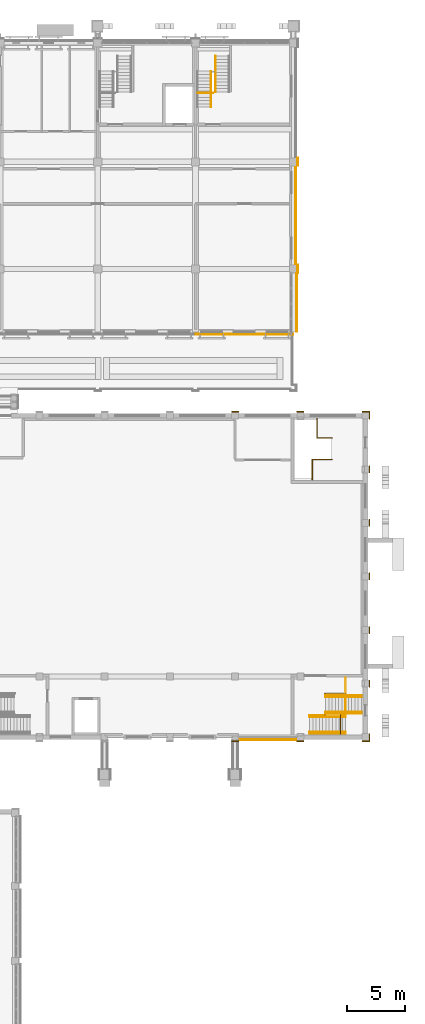
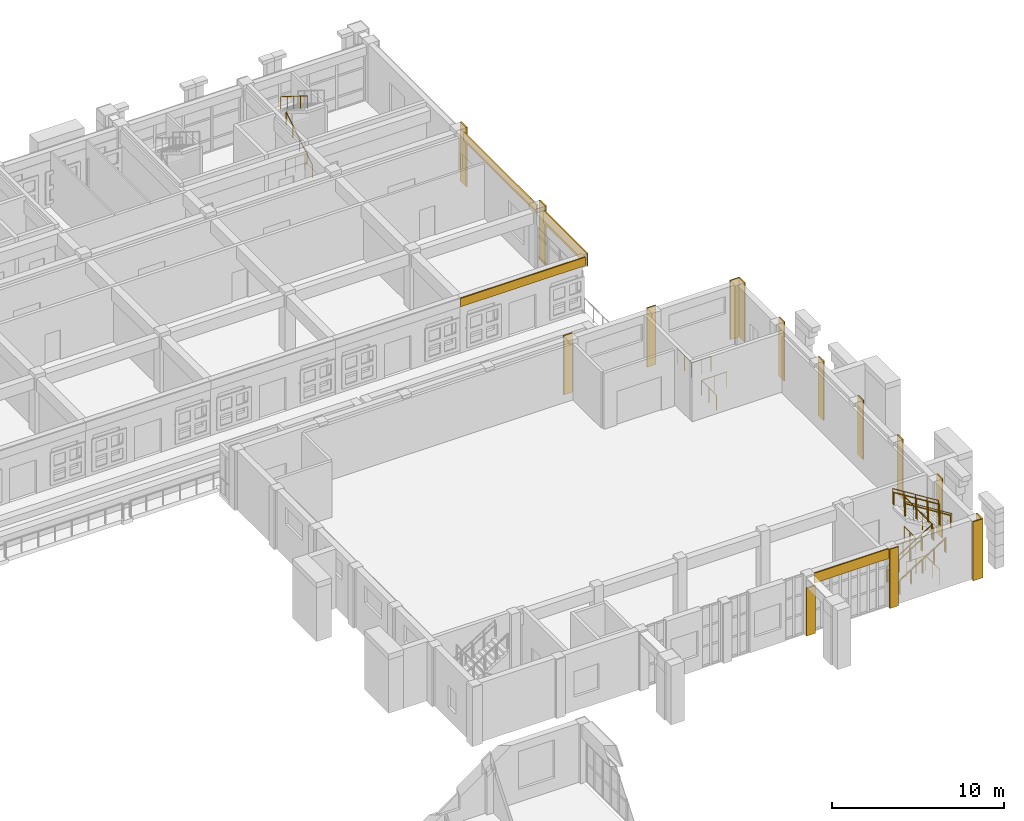
# One storey, part 94 of 99: 17 coverings, 16 railings.
"""IFC4 building model written with IfcOpenShell, lengths in metres."""

from ifc_helpers import new_model, si_unit, direction, frame, origin, origin_2d, place, context, subcontext, project, spatial, polyline, circle, outline, extrude, material, layer, layer_set, type_object, element, save


model = new_model("IFC4")

# Units and contexts
model_context = context("Model", 3, precision=1e-05, world=origin(), true_north=direction((0.0, 1.0)))
body_context = subcontext(model_context, "Body", "Model", "MODEL_VIEW")
ifc_project = project(units=[si_unit("LENGTHUNIT", "METRE"), si_unit("AREAUNIT", "SQUARE_METRE"), si_unit("VOLUMEUNIT", "CUBIC_METRE"), si_unit("PLANEANGLEUNIT", "RADIAN"), si_unit("MASSUNIT", "GRAM", prefix="KILO")], contexts=[model_context])

# Site, building, storey
site_placement = place(None, origin())
site = spatial("IfcSite", under=ifc_project, at=site_placement, CompositionType="ELEMENT")
building_placement = place(site_placement, origin())
building = spatial("IfcBuilding", under=site, at=building_placement, Name="Wasatch Bagh Community Centre", CompositionType="ELEMENT")
storey_placement = place(building_placement, frame((0.0, 0.0, 4.199951171875)))
storey = spatial("IfcBuildingStorey", under=building, at=storey_placement, Name="L01", CompositionType="ELEMENT", Elevation=4.199951171875)

# Coverings
ifc_material_1 = material(Name="Cast stone cladding", Category="masonry")
ifc_layer_1 = layer(ifc_material_1, 0.080078125)
ifc_layer_set_1 = layer_set([ifc_layer_1], Name="Cast stone cladding")
covering_type_1 = type_object("IfcCoveringType", Name="CL-B7 beam facing", PredefinedType="CLADDING", material=ifc_layer_set_1)
covering_1_placement = place(storey_placement, frame((0.0, 0.0, 3.320068359375)))
element("IfcCovering", 1, at=covering_1_placement, inside=storey, type_object=covering_type_1, Name="Beam facing", PredefinedType="CLADDING", context=body_context, shape_type="SweptSolid", body=[
    extrude(outline(polyline([(139.77490234375, 78.75), (139.77490234375, 87.25), (139.85498046875, 87.25), (139.85498046875, 78.75), (139.77490234375, 78.75)])), origin(), (0.0, 0.0, 1.0), 0.60009765625),
])
covering_2_placement = place(storey_placement, frame((0.0, 0.0, 3.02001953125)))
element("IfcCovering", 2, at=covering_2_placement, inside=storey, type_object=covering_type_1, Name="Beam facing", PredefinedType="CLADDING", context=body_context, shape_type="SweptSolid", body=[
    extrude(outline(polyline([(139.85009765625, 78.050048828125), (139.85009765625, 73.0), (139.929931640625, 73.0), (139.929931640625, 78.050048828125), (139.85009765625, 78.050048828125)])), origin(), (0.0, 0.0, 1.0), 0.900146484375),
])
covering_3_placement = place(storey_placement, frame((0.0, 0.0, 3.320068359375)))
element("IfcCovering", 3, at=covering_3_placement, inside=storey, type_object=covering_type_1, Name="Beam facing", PredefinedType="CLADDING", context=body_context, shape_type="SweptSolid", body=[
    extrude(outline(polyline([(131.199951171875, 72.824951171875), (139.60009765625, 72.824951171875), (139.60009765625, 72.7451171875), (131.199951171875, 72.7451171875), (131.199951171875, 72.824951171875)])), origin(), (0.0, 0.0, 1.0), 0.60009765625),
])
covering_4_placement = place(storey_placement, frame((0.0, 0.0, 3.5)))
element("IfcCovering", 4, at=covering_4_placement, inside=storey, type_object=covering_type_1, Name="Beam facing", PredefinedType="CLADDING", context=body_context, shape_type="SweptSolid", body=[
    extrude(outline(polyline([(134.89990234375, 38.0), (139.89990234375, 38.0), (139.89990234375, 37.919921875), (134.89990234375, 37.919921875), (134.89990234375, 38.0)])), origin(), (0.0, 0.0, 1.0), 0.699951171875),
])
ifc_layer_2 = layer(ifc_material_1, 0.080078125)
ifc_layer_set_2 = layer_set([ifc_layer_2], Name="Cast stone cladding")
covering_type_2 = type_object("IfcCoveringType", Name="CL-C1 column facing", PredefinedType="CLADDING", material=ifc_layer_set_2)
covering_5_placement = place(storey_placement, origin())
element("IfcCovering", 5, at=covering_5_placement, inside=storey, type_object=covering_type_2, Name="Column facing", PredefinedType="CLADDING", context=body_context, shape_type="SweptSolid", body=[
    extrude(outline(polyline([(139.949951171875, 87.25), (139.949951171875, 87.949951171875), (140.030029296875, 87.949951171875), (140.030029296875, 87.25), (139.949951171875, 87.25)])), origin(), (0.0, 0.0, 1.0), 4.199951171875),
])
covering_6_placement = place(storey_placement, origin())
element("IfcCovering", 6, at=covering_6_placement, inside=storey, type_object=covering_type_2, Name="Column facing", PredefinedType="CLADDING", context=body_context, shape_type="SweptSolid", body=[
    extrude(outline(polyline([(139.949951171875, 78.050048828125), (139.949951171875, 78.75), (140.030029296875, 78.75), (140.030029296875, 78.050048828125), (139.949951171875, 78.050048828125)])), origin(), (0.0, 0.0, 1.0), 4.199951171875),
])
covering_7_placement = place(storey_placement, origin())
element("IfcCovering", 7, at=covering_7_placement, inside=storey, type_object=covering_type_2, Name="Column facing", PredefinedType="CLADDING", context=body_context, shape_type="SweptSolid", body=[
    extrude(outline(polyline([(134.300048828125, 37.89990234375), (134.89990234375, 37.89990234375), (134.89990234375, 37.820068359375), (134.300048828125, 37.820068359375), (134.300048828125, 37.89990234375)])), origin(), (0.0, 0.0, 1.0), 3.400146484375),
])
covering_8_placement = place(storey_placement, origin())
element("IfcCovering", 8, at=covering_8_placement, inside=storey, type_object=covering_type_2, Name="Column facing", PredefinedType="CLADDING", context=body_context, shape_type="SweptSolid", body=[
    extrude(outline(polyline([(139.89990234375, 37.89990234375), (140.5, 37.89990234375), (140.5, 37.820068359375), (139.89990234375, 37.820068359375), (139.89990234375, 37.89990234375)])), origin(), (0.0, 0.0, 1.0), 4.199951171875),
])
covering_9_placement = place(storey_placement, origin())
element("IfcCovering", 9, at=covering_9_placement, inside=storey, type_object=covering_type_2, Name="Column facing", PredefinedType="CLADDING", context=body_context, shape_type="SweptSolid", body=[
    extrude(outline(polyline([(146.10009765625, 37.89990234375), (146.10009765625, 38.5), (146.179931640625, 38.5), (146.179931640625, 37.820068359375), (145.5, 37.820068359375), (145.5, 37.89990234375), (146.10009765625, 37.89990234375)])), origin(), (0.0, 0.0, 1.0), 4.199951171875),
])
covering_10_placement = place(storey_placement, origin())
element("IfcCovering", 10, at=covering_10_placement, inside=storey, type_object=covering_type_2, Name="Column facing", PredefinedType="CLADDING", context=body_context, shape_type="SweptSolid", body=[
    extrude(outline(polyline([(134.89990234375, 66.10009765625), (134.300048828125, 66.10009765625), (134.300048828125, 66.179931640625), (134.89990234375, 66.179931640625), (134.89990234375, 66.10009765625)])), origin(), (0.0, 0.0, 1.0), 4.199951171875),
])
covering_11_placement = place(storey_placement, origin())
element("IfcCovering", 11, at=covering_11_placement, inside=storey, type_object=covering_type_2, Name="Column facing", PredefinedType="CLADDING", context=body_context, shape_type="SweptSolid", body=[
    extrude(outline(polyline([(140.5, 66.10009765625), (139.89990234375, 66.10009765625), (139.89990234375, 66.179931640625), (140.5, 66.179931640625), (140.5, 66.10009765625)])), origin(), (0.0, 0.0, 1.0), 4.199951171875),
])
covering_12_placement = place(storey_placement, origin())
element("IfcCovering", 12, at=covering_12_placement, inside=storey, type_object=covering_type_2, Name="Column facing", PredefinedType="CLADDING", context=body_context, shape_type="SweptSolid", body=[
    extrude(outline(polyline([(146.10009765625, 66.10009765625), (145.5, 66.10009765625), (145.5, 66.179931640625), (146.179931640625, 66.179931640625), (146.179931640625, 65.5), (146.10009765625, 65.5), (146.10009765625, 66.10009765625)])), origin(), (0.0, 0.0, 1.0), 4.199951171875),
])
covering_13_placement = place(storey_placement, origin())
element("IfcCovering", 13, at=covering_13_placement, inside=storey, type_object=covering_type_2, Name="Column facing", PredefinedType="CLADDING", context=body_context, shape_type="SweptSolid", body=[
    extrude(outline(polyline([(146.10009765625, 42.5), (146.10009765625, 43.10009765625), (146.179931640625, 43.10009765625), (146.179931640625, 42.5), (146.10009765625, 42.5)])), origin(), (0.0, 0.0, 1.0), 4.199951171875),
])
covering_14_placement = place(storey_placement, origin())
element("IfcCovering", 14, at=covering_14_placement, inside=storey, type_object=covering_type_2, Name="Column facing", PredefinedType="CLADDING", context=body_context, shape_type="SweptSolid", body=[
    extrude(outline(polyline([(146.10009765625, 47.10009765625), (146.10009765625, 47.699951171875), (146.179931640625, 47.699951171875), (146.179931640625, 47.10009765625), (146.10009765625, 47.10009765625)])), origin(), (0.0, 0.0, 1.0), 4.199951171875),
])
covering_15_placement = place(storey_placement, origin())
element("IfcCovering", 15, at=covering_15_placement, inside=storey, type_object=covering_type_2, Name="Column facing", PredefinedType="CLADDING", context=body_context, shape_type="SweptSolid", body=[
    extrude(outline(polyline([(146.10009765625, 51.699951171875), (146.10009765625, 52.300048828125), (146.179931640625, 52.300048828125), (146.179931640625, 51.699951171875), (146.10009765625, 51.699951171875)])), origin(), (0.0, 0.0, 1.0), 4.199951171875),
])
covering_16_placement = place(storey_placement, origin())
element("IfcCovering", 16, at=covering_16_placement, inside=storey, type_object=covering_type_2, Name="Column facing", PredefinedType="CLADDING", context=body_context, shape_type="SweptSolid", body=[
    extrude(outline(polyline([(146.10009765625, 56.300048828125), (146.10009765625, 56.89990234375), (146.179931640625, 56.89990234375), (146.179931640625, 56.300048828125), (146.10009765625, 56.300048828125)])), origin(), (0.0, 0.0, 1.0), 4.199951171875),
])
covering_17_placement = place(storey_placement, origin())
element("IfcCovering", 17, at=covering_17_placement, inside=storey, type_object=covering_type_2, Name="Column facing", PredefinedType="CLADDING", context=body_context, shape_type="SweptSolid", body=[
    extrude(outline(polyline([(146.10009765625, 60.89990234375), (146.10009765625, 61.5), (146.179931640625, 61.5), (146.179931640625, 60.89990234375), (146.10009765625, 60.89990234375)])), origin(), (0.0, 0.0, 1.0), 4.199951171875),
])

# Railings
ifc_material_2 = material(Name="Painted steel with jali infill", Category="steel")
railing_type_1 = type_object("IfcRailingType", Name="LW guard 1100", PredefinedType="GUARDRAIL", material=ifc_material_2)
railing_1_placement = place(storey_placement, frame((131.39990234375, 93.5, 0.0)))
element("IfcRailing", 18, at=railing_1_placement, inside=storey, type_object=railing_type_1, Name="Guard ES", PredefinedType="GUARDRAIL", context=body_context, shape_type="SweptSolid", body=[
    extrude(circle(Radius=0.02490234375, at=origin_2d()), frame((0.0, 0.0, 1.0751953125), z_axis=(1.0, 0.0, 0.0), x_axis=(0.0, 1.0, 0.0)), (0.0, 0.0, 1.0), 1.300048828125),
    extrude(circle(Radius=0.02001953125, at=origin_2d()), origin(), (0.0, 0.0, 1.0), 1.050048828125),
    extrude(circle(Radius=0.02001953125, at=origin_2d()), frame((0.64990234375, 0.0, 0.0)), (0.0, 0.0, 1.0), 1.050048828125),
    extrude(circle(Radius=0.02001953125, at=origin_2d()), frame((1.300048828125, 0.0, 0.0)), (0.0, 0.0, 1.0), 1.050048828125),
])
ifc_material_3 = material(Name="Painted steel tube", Category="steel")
railing_type_2 = type_object("IfcRailingType", Name="LW stair handrail 900", PredefinedType="HANDRAIL", material=ifc_material_3)
railing_2_placement = place(storey_placement, frame((132.534912109375, 92.300048828125, 0.175048828125)))
element("IfcRailing", 19, at=railing_2_placement, inside=storey, type_object=railing_type_2, Name="Handrail ES", PredefinedType="HANDRAIL", context=body_context, shape_type="SweptSolid", body=[
    extrude(circle(Radius=0.0224609375, at=origin_2d()), frame((0.0, 0.0, 0.87744140625), z_axis=(0.0, 0.847979421464, 0.530029150871), x_axis=(-1.0, 0.0, 0.0)), (0.0, 0.0, 1.0), 3.632080078125),
    extrude(circle(Radius=0.02001953125, at=origin_2d()), origin(), (0.0, 0.0, 1.0), 0.85498046875),
    extrude(circle(Radius=0.02001953125, at=origin_2d()), frame((0.0, 0.77001953125, 0.481201171875)), (0.0, 0.0, 1.0), 0.85498046875),
    extrude(circle(Radius=0.02001953125, at=origin_2d()), frame((0.0, 1.5400390625, 0.96240234375)), (0.0, 0.0, 1.0), 0.85498046875),
    extrude(circle(Radius=0.02001953125, at=origin_2d()), frame((0.0, 2.309814453125, 1.44384765625)), (0.0, 0.0, 1.0), 0.85498046875),
    extrude(circle(Radius=0.02001953125, at=origin_2d()), frame((0.0, 3.079833984375, 1.925048828125)), (0.0, 0.0, 1.0), 0.85498046875),
])
railing_3_placement = place(storey_placement, frame((132.9150390625, 96.679931640625, 2.275146484375)))
element("IfcRailing", 20, at=railing_3_placement, inside=storey, type_object=railing_type_2, Name="Handrail ES", PredefinedType="HANDRAIL", context=body_context, shape_type="SweptSolid", body=[
    extrude(circle(Radius=0.0224609375, at=origin_2d()), frame((0.0, 0.0, 0.87744140625), z_axis=(0.0, -0.848009633417, 0.529980812513), x_axis=(1.0, 0.0, 0.0)), (0.0, 0.0, 1.0), 3.6318359375),
    extrude(circle(Radius=0.02001953125, at=origin_2d()), origin(), (0.0, 0.0, 1.0), 0.85498046875),
    extrude(circle(Radius=0.02001953125, at=origin_2d()), frame((0.0, -0.77001953125, 0.481201171875)), (0.0, 0.0, 1.0), 0.85498046875),
    extrude(circle(Radius=0.02001953125, at=origin_2d()), frame((0.0, -1.5400390625, 0.96240234375)), (0.0, 0.0, 1.0), 0.85498046875),
    extrude(circle(Radius=0.02001953125, at=origin_2d()), frame((0.0, -2.309814453125, 1.443603515625)), (0.0, 0.0, 1.0), 0.85498046875),
    extrude(circle(Radius=0.02001953125, at=origin_2d()), frame((0.0, -3.079833984375, 1.9248046875)), (0.0, 0.0, 1.0), 0.85498046875),
])
ifc_material_4 = material(Name="ASTM A36 steel", Category="steel")
railing_type_3 = type_object("IfcRailingType", Name="SH guard", PredefinedType="GUARDRAIL", material=ifc_material_4)
railing_4_placement = place(storey_placement, frame((143.6298828125, 38.449951171875, 0.0)))
element("IfcRailing", 21, at=railing_4_placement, inside=storey, type_object=railing_type_3, Name="GUARD ST2", PredefinedType="GUARDRAIL", context=body_context, shape_type="SweptSolid", body=[
    extrude(circle(Radius=0.02392578125, at=origin_2d()), frame((0.0, 0.0, 1.076171875), z_axis=(0.0, 1.0, 0.0), x_axis=(-1.0, 0.0, 0.0)), (0.0, 0.0, 1.0), 1.650146484375),
    extrude(circle(Radius=0.02392578125, at=origin_2d()), frame((0.0, 1.650146484375, 1.076171875), z_axis=(-1.0, 0.0, 0.0), x_axis=(0.0, -1.0, 0.0)), (0.0, 0.0, 1.0), 1.309814453125),
    extrude(circle(Radius=0.02099609375, at=origin_2d()), origin(), (0.0, 0.0, 1.0), 1.052001953125),
    extrude(circle(Radius=0.02099609375, at=origin_2d()), frame((0.0, 0.8251953125, 0.0)), (0.0, 0.0, 1.0), 1.052001953125),
    extrude(circle(Radius=0.02099609375, at=origin_2d()), frame((0.0, 1.650146484375, 0.0)), (0.0, 0.0, 1.0), 1.052001953125),
    extrude(circle(Radius=0.02099609375, at=origin_2d()), frame((-0.65478515625, 1.650146484375, 0.0)), (0.0, 0.0, 1.0), 1.052001953125),
    extrude(circle(Radius=0.02099609375, at=origin_2d()), frame((-1.309814453125, 1.650146484375, 0.0)), (0.0, 0.0, 1.0), 1.052001953125),
])
railing_5_placement = place(storey_placement, frame((144.030029296875, 43.300048828125, 0.0)))
element("IfcRailing", 22, at=railing_5_placement, inside=storey, type_object=railing_type_3, Name="GUARD ST2", PredefinedType="GUARDRAIL", context=body_context, shape_type="SweptSolid", body=[
    extrude(circle(Radius=0.02392578125, at=origin_2d()), frame((0.0, 0.0, 1.076171875), z_axis=(0.0, -1.0, 0.0), x_axis=(1.0, 0.0, 0.0)), (0.0, 0.0, 1.0), 1.35009765625),
    extrude(circle(Radius=0.02392578125, at=origin_2d()), frame((0.0, -1.35009765625, 1.076171875), z_axis=(-1.0, 0.0, 0.0), x_axis=(0.0, -1.0, 0.0)), (0.0, 0.0, 1.0), 1.7099609375),
    extrude(circle(Radius=0.02099609375, at=origin_2d()), origin(), (0.0, 0.0, 1.0), 1.052001953125),
    extrude(circle(Radius=0.02099609375, at=origin_2d()), frame((0.0, -0.675048828125, 0.0)), (0.0, 0.0, 1.0), 1.052001953125),
    extrude(circle(Radius=0.02099609375, at=origin_2d()), frame((0.0, -1.35009765625, 0.0)), (0.0, 0.0, 1.0), 1.052001953125),
    extrude(circle(Radius=0.02099609375, at=origin_2d()), frame((-0.85498046875, -1.35009765625, 0.0)), (0.0, 0.0, 1.0), 1.052001953125),
    extrude(circle(Radius=0.02099609375, at=origin_2d()), frame((-1.7099609375, -1.35009765625, 0.0)), (0.0, 0.0, 1.0), 1.052001953125),
])
for number, where, name in (
    (23, (141.0, 40.070068359375, 0.175048828125), "GUARD ST2"),
    (24, (141.0, 38.530029296875, 0.175048828125), "GUARD ST2"),
):
    element("IfcRailing", number, at=place(storey_placement, frame(where)), inside=storey, type_object=railing_type_3, Name=name, PredefinedType="GUARDRAIL", context=body_context, shape_type="SweptSolid", body=[
        extrude(circle(Radius=0.02392578125, at=origin_2d()), frame((0.0, 0.0, 1.076171875), z_axis=(0.847998304005, 0.0, 0.529998940003), x_axis=(0.0, 1.0, 0.0)), (0.0, 0.0, 1.0), 3.632080078125),
        extrude(circle(Radius=0.02099609375, at=origin_2d()), origin(), (0.0, 0.0, 1.0), 1.052001953125),
        extrude(circle(Radius=0.02099609375, at=origin_2d()), frame((0.77001953125, 0.0, 0.481201171875)), (0.0, 0.0, 1.0), 1.052001953125),
        extrude(circle(Radius=0.02099609375, at=origin_2d()), frame((1.5400390625, 0.0, 0.96240234375)), (0.0, 0.0, 1.0), 1.052001953125),
        extrude(circle(Radius=0.02099609375, at=origin_2d()), frame((2.31005859375, 0.0, 1.44384765625)), (0.0, 0.0, 1.0), 1.052001953125),
        extrude(circle(Radius=0.02099609375, at=origin_2d()), frame((3.080078125, 0.0, 1.925048828125)), (0.0, 0.0, 1.0), 1.052001953125),
    ])
for number, where, name in (
    (25, (145.449951171875, 40.22998046875, 2.275146484375), "GUARD ST2"),
    (26, (145.449951171875, 41.77001953125, 2.275146484375), "GUARD ST2"),
):
    element("IfcRailing", number, at=place(storey_placement, frame(where)), inside=storey, type_object=railing_type_3, Name=name, PredefinedType="GUARDRAIL", context=body_context, shape_type="SweptSolid", body=[
        extrude(circle(Radius=0.02392578125, at=origin_2d()), frame((0.0, 0.0, 1.076171875), z_axis=(-0.848009633417, 0.0, 0.529980812513), x_axis=(0.0, -1.0, 0.0)), (0.0, 0.0, 1.0), 3.6318359375),
        extrude(circle(Radius=0.02099609375, at=origin_2d()), origin(), (0.0, 0.0, 1.0), 1.052001953125),
        extrude(circle(Radius=0.02099609375, at=origin_2d()), frame((-0.77001953125, 0.0, 0.481201171875)), (0.0, 0.0, 1.0), 1.052001953125),
        extrude(circle(Radius=0.02099609375, at=origin_2d()), frame((-1.5400390625, 0.0, 0.96240234375)), (0.0, 0.0, 1.0), 1.052001953125),
        extrude(circle(Radius=0.02099609375, at=origin_2d()), frame((-2.309814453125, 0.0, 1.443603515625)), (0.0, 0.0, 1.0), 1.052001953125),
        extrude(circle(Radius=0.02099609375, at=origin_2d()), frame((-3.079833984375, 0.0, 1.9248046875)), (0.0, 0.0, 1.0), 1.052001953125),
    ])
railing_6_placement = place(storey_placement, frame((144.06005859375, 40.14990234375, 2.10009765625)))
element("IfcRailing", 27, at=railing_6_placement, inside=storey, type_object=railing_type_3, Name="GUARD ST2", PredefinedType="GUARDRAIL", context=body_context, shape_type="SweptSolid", body=[
    extrude(circle(Radius=0.02392578125, at=origin_2d()), frame((0.0, 0.0, 1.076171875), z_axis=(0.0, 1.0, 0.0), x_axis=(-1.0, 0.0, 0.0)), (0.0, 0.0, 1.0), 3.150146484375),
    extrude(circle(Radius=0.02099609375, at=origin_2d()), origin(), (0.0, 0.0, 1.0), 1.052001953125),
    extrude(circle(Radius=0.02099609375, at=origin_2d()), frame((0.0, 1.050048828125, 0.0)), (0.0, 0.0, 1.0), 1.052001953125),
    extrude(circle(Radius=0.02099609375, at=origin_2d()), frame((0.0, 2.10009765625, 0.0)), (0.0, 0.0, 1.0), 1.052001953125),
    extrude(circle(Radius=0.02099609375, at=origin_2d()), frame((0.0, 3.150146484375, 0.0)), (0.0, 0.0, 1.0), 1.052001953125),
])
railing_7_placement = place(storey_placement, frame((141.6201171875, 65.550048828125, 0.0)))
element("IfcRailing", 28, at=railing_7_placement, inside=storey, type_object=railing_type_3, Name="GUARD ST3", PredefinedType="GUARDRAIL", context=body_context, shape_type="SweptSolid", body=[
    extrude(circle(Radius=0.02392578125, at=origin_2d()), frame((0.0, 0.0, 1.076171875), z_axis=(0.0, -1.0, 0.0), x_axis=(1.0, 0.0, 0.0)), (0.0, 0.0, 1.0), 1.650146484375),
    extrude(circle(Radius=0.02392578125, at=origin_2d()), frame((0.0, -1.650146484375, 1.076171875), z_axis=(1.0, 0.0, 0.0), x_axis=(0.0, 1.0, 0.0)), (0.0, 0.0, 1.0), 1.309814453125),
    extrude(circle(Radius=0.02099609375, at=origin_2d()), origin(), (0.0, 0.0, 1.0), 1.052001953125),
    extrude(circle(Radius=0.02099609375, at=origin_2d()), frame((0.0, -0.8251953125, 0.0)), (0.0, 0.0, 1.0), 1.052001953125),
    extrude(circle(Radius=0.02099609375, at=origin_2d()), frame((0.0, -1.650146484375, 0.0)), (0.0, 0.0, 1.0), 1.052001953125),
    extrude(circle(Radius=0.02099609375, at=origin_2d()), frame((0.65478515625, -1.650146484375, 0.0)), (0.0, 0.0, 1.0), 1.052001953125),
    extrude(circle(Radius=0.02099609375, at=origin_2d()), frame((1.309814453125, -1.650146484375, 0.0)), (0.0, 0.0, 1.0), 1.052001953125),
])
railing_8_placement = place(storey_placement, frame((141.219970703125, 60.300048828125, 0.0)))
element("IfcRailing", 29, at=railing_8_placement, inside=storey, type_object=railing_type_3, Name="GUARD ST3", PredefinedType="GUARDRAIL", context=body_context, shape_type="SweptSolid", body=[
    extrude(circle(Radius=0.02392578125, at=origin_2d()), frame((0.0, 0.0, 1.076171875), z_axis=(0.0, 1.0, 0.0), x_axis=(-1.0, 0.0, 0.0)), (0.0, 0.0, 1.0), 1.75),
    extrude(circle(Radius=0.02392578125, at=origin_2d()), frame((0.0, 1.75, 1.076171875), z_axis=(1.0, 0.0, 0.0), x_axis=(0.0, 1.0, 0.0)), (0.0, 0.0, 1.0), 1.7099609375),
    extrude(circle(Radius=0.02099609375, at=origin_2d()), origin(), (0.0, 0.0, 1.0), 1.052001953125),
    extrude(circle(Radius=0.02099609375, at=origin_2d()), frame((0.0, 0.875, 0.0)), (0.0, 0.0, 1.0), 1.052001953125),
    extrude(circle(Radius=0.02099609375, at=origin_2d()), frame((0.0, 1.75, 0.0)), (0.0, 0.0, 1.0), 1.052001953125),
    extrude(circle(Radius=0.02099609375, at=origin_2d()), frame((0.85498046875, 1.75, 0.0)), (0.0, 0.0, 1.0), 1.052001953125),
    extrude(circle(Radius=0.02099609375, at=origin_2d()), frame((1.7099609375, 1.75, 0.0)), (0.0, 0.0, 1.0), 1.052001953125),
])
railing_type_4 = type_object("IfcRailingType", Name="SH handrail", PredefinedType="HANDRAIL", material=ifc_material_4)
for number, where, name in (
    (30, (141.0, 39.949951171875, 0.175048828125), "HANDRAIL ST2"),
    (31, (141.0, 38.64990234375, 0.175048828125), "HANDRAIL ST2"),
):
    element("IfcRailing", number, at=place(storey_placement, frame(where)), inside=storey, type_object=railing_type_4, Name=name, PredefinedType="HANDRAIL", context=body_context, shape_type="SweptSolid", body=[
        extrude(circle(Radius=0.02392578125, at=origin_2d()), frame((0.0, 0.0, 0.8759765625), z_axis=(0.847998304005, 0.0, 0.529998940003), x_axis=(0.0, 1.0, 0.0)), (0.0, 0.0, 1.0), 3.632080078125),
        extrude(circle(Radius=0.02099609375, at=origin_2d()), origin(), (0.0, 0.0, 1.0), 0.851806640625),
        extrude(circle(Radius=0.02099609375, at=origin_2d()), frame((0.77001953125, 0.0, 0.481201171875)), (0.0, 0.0, 1.0), 0.851806640625),
        extrude(circle(Radius=0.02099609375, at=origin_2d()), frame((1.5400390625, 0.0, 0.96240234375)), (0.0, 0.0, 1.0), 0.851806640625),
        extrude(circle(Radius=0.02099609375, at=origin_2d()), frame((2.31005859375, 0.0, 1.44384765625)), (0.0, 0.0, 1.0), 0.851806640625),
        extrude(circle(Radius=0.02099609375, at=origin_2d()), frame((3.080078125, 0.0, 1.925048828125)), (0.0, 0.0, 1.0), 0.851806640625),
    ])
for number, where, name in (
    (32, (145.449951171875, 40.35009765625, 2.275146484375), "HANDRAIL ST2"),
    (33, (145.449951171875, 41.64990234375, 2.275146484375), "HANDRAIL ST2"),
):
    element("IfcRailing", number, at=place(storey_placement, frame(where)), inside=storey, type_object=railing_type_4, Name=name, PredefinedType="HANDRAIL", context=body_context, shape_type="SweptSolid", body=[
        extrude(circle(Radius=0.02392578125, at=origin_2d()), frame((0.0, 0.0, 0.8759765625), z_axis=(-0.848009633417, 0.0, 0.529980812513), x_axis=(0.0, -1.0, 0.0)), (0.0, 0.0, 1.0), 3.6318359375),
        extrude(circle(Radius=0.02099609375, at=origin_2d()), origin(), (0.0, 0.0, 1.0), 0.851806640625),
        extrude(circle(Radius=0.02099609375, at=origin_2d()), frame((-0.77001953125, 0.0, 0.481201171875)), (0.0, 0.0, 1.0), 0.851806640625),
        extrude(circle(Radius=0.02099609375, at=origin_2d()), frame((-1.5400390625, 0.0, 0.96240234375)), (0.0, 0.0, 1.0), 0.851806640625),
        extrude(circle(Radius=0.02099609375, at=origin_2d()), frame((-2.309814453125, 0.0, 1.443603515625)), (0.0, 0.0, 1.0), 0.851806640625),
        extrude(circle(Radius=0.02099609375, at=origin_2d()), frame((-3.079833984375, 0.0, 1.9248046875)), (0.0, 0.0, 1.0), 0.851806640625),
    ])

save(model, "model.ifc")
